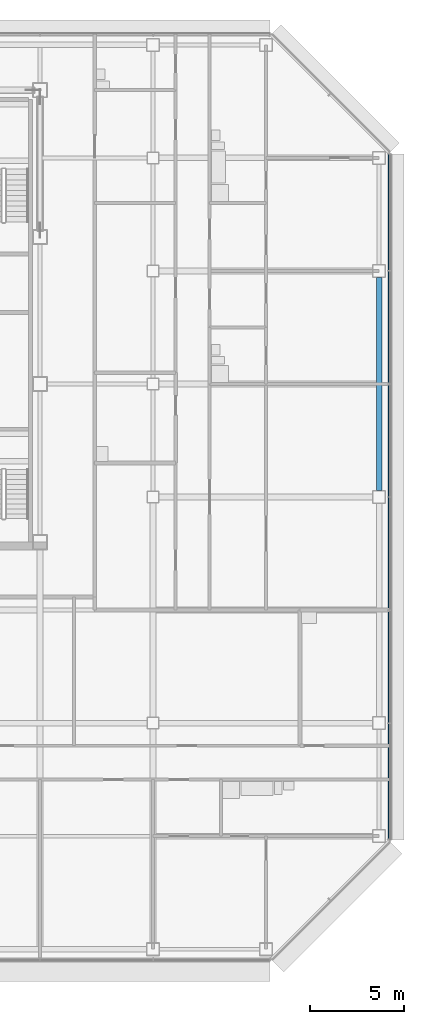
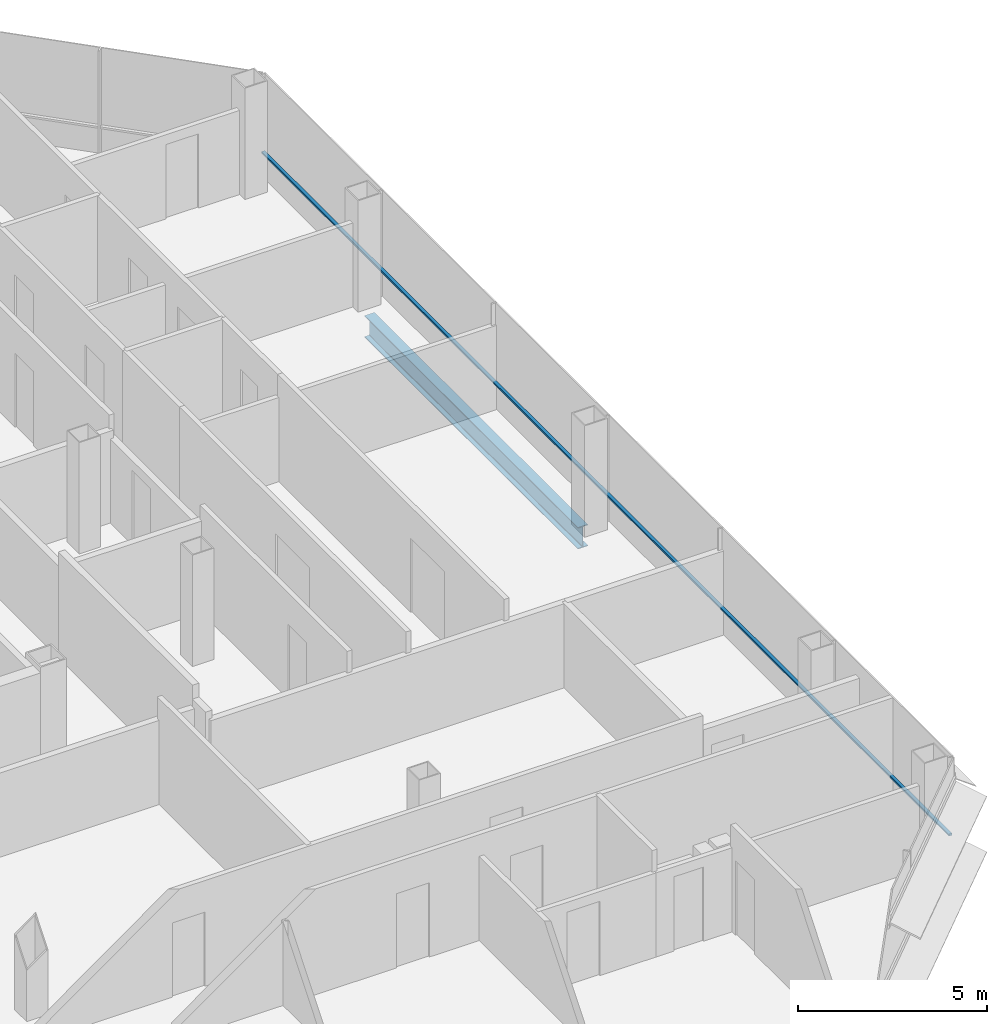
# One storey, part 16 of 26: 1 beam, 1 member, 1 element without a shape of its own.
"""IFC4 building model written with IfcOpenShell, lengths in metres."""

from ifc_helpers import new_model, si_unit, direction, frame, origin, origin_2d, place, context, subcontext, project, spatial, rectangle, i_section, extrude, material, material_profile, profile_set, type_object, element, aggregate, save


model = new_model("IFC4")

# Units and contexts
model_context = context("Model", 3, precision=1e-05, world=origin(), true_north=direction((0.0, 1.0)))
body_context = subcontext(model_context, "Body", "Model", "MODEL_VIEW")
ifc_project = project(units=[si_unit("LENGTHUNIT", "METRE"), si_unit("AREAUNIT", "SQUARE_METRE"), si_unit("VOLUMEUNIT", "CUBIC_METRE"), si_unit("PLANEANGLEUNIT", "RADIAN"), si_unit("MASSUNIT", "GRAM", prefix="KILO")], contexts=[model_context])

# Site, building, storey
site_placement = place(None, origin())
site = spatial("IfcSite", under=ifc_project, at=site_placement, CompositionType="ELEMENT")
building_placement = place(site_placement, origin())
building = spatial("IfcBuilding", under=site, at=building_placement, Name="Sorahane Residences", CompositionType="ELEMENT")
storey_placement = place(building_placement, frame((0.0, 0.0, 151.0)))
storey = spatial("IfcBuildingStorey", under=building, at=storey_placement, Name="L34", CompositionType="ELEMENT", Elevation=151.0)

# Curtain wall, member
ifc_material_1 = material(Name="Dark low-e glass and black anodised aluminium", Category="aluminium")
curtain_wall_type = type_object("IfcCurtainWallType", Name="Curtain wall CW-1 Typical unitised wall", PredefinedType="NOTDEFINED", material=ifc_material_1)
curtain_wall_placement = place(storey_placement, origin())
curtain_wall = element("IfcCurtainWall", 1, at=curtain_wall_placement, inside=storey, type_object=curtain_wall_type, Name="CW-1 curtain wall L34 E1", PredefinedType="NOTDEFINED")
ifc_material_2 = material(Name="Black anodised aluminium", Category="aluminium")
ifc_material_profile_1 = material_profile(ifc_material_2, rectangle(XDim=0.10009765625, YDim=0.06005859375, at=origin_2d()), Name="Curtain wall transom CW-1 black anodised aluminium 60x100")
ifc_profile_set_1 = profile_set([ifc_material_profile_1], Name="Black anodised aluminium")
member_type = type_object("IfcMemberType", Name="Curtain wall transom CW-1 black anodised aluminium 60x100", PredefinedType="USERDEFINED", material=ifc_profile_set_1)
member_placement = place(storey_placement, frame((60.530029296875, 5.801513671875, 0.89990234375), z_axis=(0.0, 1.0, 0.0), x_axis=(-1.0, 0.0, 0.0)))
member = element("IfcMember", 2, at=member_placement, type_object=member_type, Name="CW-1 transom L34 E1", ObjectType="TRANSOM", PredefinedType="USERDEFINED", context=body_context, shape_type="SweptSolid", body=[
    extrude(rectangle(XDim=0.10009765625, YDim=0.06005859375, at=origin_2d()), origin(), (0.0, 0.0, 1.0), 36.39697265625),
])
aggregate(curtain_wall, [member])

# Beam
ifc_material_3 = material(Name="Steel Q355B", Category="steel")
ifc_material_profile_2 = material_profile(ifc_material_3, i_section(OverallWidth=0.300048828125, OverallDepth=0.699951171875, WebThickness=0.012939453125, FlangeThickness=0.02392578125, FilletRadius=0.028076171875, at=origin_2d()), Name="HN 700x300x13x24")
ifc_profile_set_2 = profile_set([ifc_material_profile_2], Name="Steel Q355B")
beam_type = type_object("IfcBeamType", Name="Steel floor beam HN 700x300x13x24 Q355B", PredefinedType="BEAM", material=ifc_profile_set_2)
beam_placement = place(storey_placement, frame((60.0, 24.35009765625, -0.530029296875), z_axis=(0.0, 1.0, 0.0), x_axis=(-1.0, 0.0, 0.0)))
element("IfcBeam", 3, at=beam_placement, inside=storey, type_object=beam_type, Name="Beam L34 066", PredefinedType="BEAM", context=body_context, shape_type="SweptSolid", body=[
    extrude(i_section(OverallWidth=0.300048828125, OverallDepth=0.699951171875, WebThickness=0.012939453125, FlangeThickness=0.02392578125, FilletRadius=0.028076171875, at=origin_2d()), origin(), (0.0, 0.0, 1.0), 11.2998046875),
])

save(model, "model.ifc")
